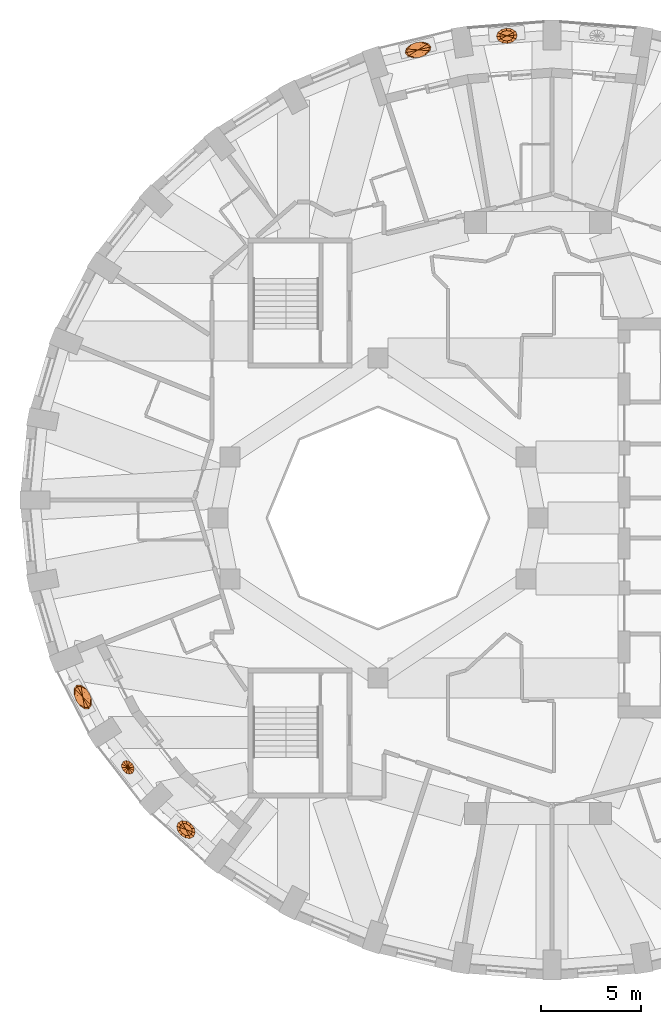
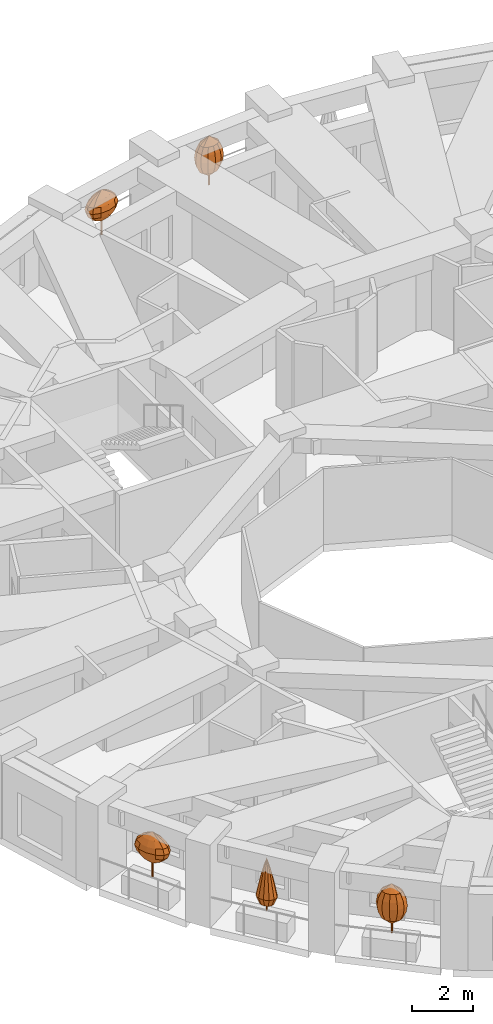
# One storey, part 11 of 12: 5 geographic elements.
"""IFC4 building model written with IfcOpenShell, lengths in metres."""

from ifc_helpers import new_model, si_unit, direction, frame, origin, place, context, subcontext, project, spatial, faceted_brep, material, constituent, constituent_set, type_object, element, save


model = new_model("IFC4")

# Units and contexts
model_context = context("Model", 3, precision=1e-05, world=origin(), true_north=direction((0.0, 1.0)))
body_context = subcontext(model_context, "Body", "Model", "MODEL_VIEW")
ifc_project = project(units=[si_unit("LENGTHUNIT", "METRE"), si_unit("AREAUNIT", "SQUARE_METRE"), si_unit("VOLUMEUNIT", "CUBIC_METRE"), si_unit("PLANEANGLEUNIT", "RADIAN"), si_unit("MASSUNIT", "GRAM", prefix="KILO")], contexts=[model_context])

# Site, building, storey
site_placement = place(None, origin())
site = spatial("IfcSite", under=ifc_project, at=site_placement, CompositionType="ELEMENT")
building_placement = place(site_placement, origin())
building = spatial("IfcBuilding", under=site, at=building_placement, Name="Taillehof Tower", CompositionType="ELEMENT")
storey_placement = place(building_placement, frame((0.0, 0.0, 218.89990234375)))
storey = spatial("IfcBuildingStorey", under=building, at=storey_placement, Name="L62", CompositionType="ELEMENT", Elevation=218.89990234375)

# Geographic elements
ifc_material_1 = material(Name="Tree bark", Category="timber")
ifc_constituent_1 = constituent(ifc_material_1, Name="Trunk", Category="timber")
ifc_material_2 = material(Name="Tree foliage")
ifc_constituent_2 = constituent(ifc_material_2, Name="Crown")
ifc_constituent_set_1 = constituent_set(constituents=[ifc_constituent_1, ifc_constituent_2], Name="Tree TR2 Fastigiate yew")
geographic_element_type_1 = type_object("IfcGeographicElementType", Name="Tree TR2 Fastigiate yew", PredefinedType="USERDEFINED", material=ifc_constituent_set_1)
geographic_element_1_placement = place(storey_placement, frame((-1.555419921875, 24.110595703125, 0.75)))
element("IfcGeographicElement", 1, at=geographic_element_1_placement, inside=storey, type_object=geographic_element_type_1, Name="Tree TR2 Fastigiate yew", ObjectType="TREE", PredefinedType="USERDEFINED", context=body_context, shape_type="Brep", body=[
    faceted_brep([(0.034912109375, 0.0, 0.0), (0.024658203125, 0.024658203125, 0.0), (0.024658203125, 0.024658203125, 0.909912109375), (0.034912109375, 0.0, 0.909912109375), (0.0, 0.034912109375, 0.0), (0.0, 0.034912109375, 0.909912109375), (-0.024658203125, 0.024658203125, 0.0), (-0.024658203125, 0.024658203125, 0.909912109375), (-0.034912109375, 0.0, 0.0), (-0.034912109375, 0.0, 0.909912109375), (-0.024658203125, -0.024658203125, 0.0), (-0.024658203125, -0.024658203125, 0.909912109375), (0.0, -0.034912109375, 0.0), (0.0, -0.034912109375, 0.909912109375), (0.024658203125, -0.024658203125, 0.0), (0.024658203125, -0.024658203125, 0.909912109375)], [[[0, 1, 2, 3]], [[1, 4, 5, 2]], [[4, 6, 7, 5]], [[6, 8, 9, 7]], [[8, 10, 11, 9]], [[10, 12, 13, 11]], [[12, 14, 15, 13]], [[14, 0, 3, 15]], [[14, 12, 10, 8, 6, 4, 1, 0]], [[3, 2, 5, 7, 9, 11, 13, 15]]]),
    faceted_brep([(0.0, 0.0, 0.35009765625), (-0.2978515625, -0.153564453125, 0.61669921875), (-0.355712890625, -0.028076171875, 0.61669921875), (-0.16015625, -0.238037109375, 0.61669921875), (0.020263671875, -0.2587890625, 0.61669921875), (0.195556640625, -0.2099609375, 0.61669921875), (0.318359375, -0.105224609375, 0.61669921875), (0.355712890625, 0.028076171875, 0.61669921875), (0.2978515625, 0.153564453125, 0.61669921875), (0.16015625, 0.238037109375, 0.61669921875), (-0.020263671875, 0.2587890625, 0.61669921875), (-0.195556640625, 0.2099609375, 0.61669921875), (-0.318359375, 0.105224609375, 0.61669921875), (-0.403076171875, -0.207763671875, 0.88330078125), (-0.481201171875, -0.037841796875, 0.88330078125), (-0.216796875, -0.322021484375, 0.88330078125), (0.027587890625, -0.35009765625, 0.88330078125), (0.264404296875, -0.2841796875, 0.88330078125), (0.4306640625, -0.14208984375, 0.88330078125), (0.481201171875, 0.037841796875, 0.88330078125), (0.403076171875, 0.207763671875, 0.88330078125), (0.216796875, 0.322021484375, 0.88330078125), (-0.027587890625, 0.35009765625, 0.88330078125), (-0.264404296875, 0.2841796875, 0.88330078125), (-0.4306640625, 0.14208984375, 0.88330078125), (-0.436279296875, -0.224853515625, 1.14990234375), (-0.52099609375, -0.041015625, 1.14990234375), (-0.234619140625, -0.3486328125, 1.14990234375), (0.02978515625, -0.37890625, 1.14990234375), (0.286376953125, -0.3076171875, 1.14990234375), (0.466064453125, -0.15380859375, 1.14990234375), (0.52099609375, 0.041015625, 1.14990234375), (0.436279296875, 0.224853515625, 1.14990234375), (0.234619140625, 0.3486328125, 1.14990234375), (-0.02978515625, 0.37890625, 1.14990234375), (-0.286376953125, 0.3076171875, 1.14990234375), (-0.466064453125, 0.15380859375, 1.14990234375), (-0.403076171875, -0.207763671875, 1.416748046875), (-0.481201171875, -0.037841796875, 1.416748046875), (-0.216796875, -0.322021484375, 1.416748046875), (0.027587890625, -0.35009765625, 1.416748046875), (0.264404296875, -0.2841796875, 1.416748046875), (0.4306640625, -0.14208984375, 1.416748046875), (0.481201171875, 0.037841796875, 1.416748046875), (0.403076171875, 0.207763671875, 1.416748046875), (0.216796875, 0.322021484375, 1.416748046875), (-0.027587890625, 0.35009765625, 1.416748046875), (-0.264404296875, 0.2841796875, 1.416748046875), (-0.4306640625, 0.14208984375, 1.416748046875), (-0.2978515625, -0.153564453125, 1.683349609375), (-0.355712890625, -0.028076171875, 1.683349609375), (-0.16015625, -0.238037109375, 1.683349609375), (0.020263671875, -0.2587890625, 1.683349609375), (0.195556640625, -0.2099609375, 1.683349609375), (0.318359375, -0.105224609375, 1.683349609375), (0.355712890625, 0.028076171875, 1.683349609375), (0.2978515625, 0.153564453125, 1.683349609375), (0.16015625, 0.238037109375, 1.683349609375), (-0.020263671875, 0.2587890625, 1.683349609375), (-0.195556640625, 0.2099609375, 1.683349609375), (-0.318359375, 0.105224609375, 1.683349609375), (0.0, 0.0, 1.949951171875)], [[[0, 1, 2]], [[0, 3, 1]], [[0, 4, 3]], [[0, 5, 4]], [[0, 6, 5]], [[0, 7, 6]], [[0, 8, 7]], [[0, 9, 8]], [[0, 10, 9]], [[0, 11, 10]], [[0, 12, 11]], [[0, 2, 12]], [[2, 1, 13, 14]], [[1, 3, 15, 13]], [[3, 4, 16, 15]], [[4, 5, 17, 16]], [[5, 6, 18, 17]], [[6, 7, 19, 18]], [[7, 8, 20, 19]], [[8, 9, 21, 20]], [[9, 10, 22, 21]], [[10, 11, 23, 22]], [[11, 12, 24, 23]], [[12, 2, 14, 24]], [[14, 13, 25, 26]], [[13, 15, 27, 25]], [[15, 16, 28, 27]], [[16, 17, 29, 28]], [[17, 18, 30, 29]], [[18, 19, 31, 30]], [[19, 20, 32, 31]], [[20, 21, 33, 32]], [[21, 22, 34, 33]], [[22, 23, 35, 34]], [[23, 24, 36, 35]], [[24, 14, 26, 36]], [[26, 25, 37, 38]], [[25, 27, 39, 37]], [[27, 28, 40, 39]], [[28, 29, 41, 40]], [[29, 30, 42, 41]], [[30, 31, 43, 42]], [[31, 32, 44, 43]], [[32, 33, 45, 44]], [[33, 34, 46, 45]], [[34, 35, 47, 46]], [[35, 36, 48, 47]], [[36, 26, 38, 48]], [[38, 37, 49, 50]], [[37, 39, 51, 49]], [[39, 40, 52, 51]], [[40, 41, 53, 52]], [[41, 42, 54, 53]], [[42, 43, 55, 54]], [[43, 44, 56, 55]], [[44, 45, 57, 56]], [[45, 46, 58, 57]], [[46, 47, 59, 58]], [[47, 48, 60, 59]], [[48, 38, 50, 60]], [[50, 49, 61]], [[49, 51, 61]], [[51, 52, 61]], [[52, 53, 61]], [[53, 54, 61]], [[54, 55, 61]], [[55, 56, 61]], [[56, 57, 61]], [[57, 58, 61]], [[58, 59, 61]], [[59, 60, 61]], [[60, 50, 61]]]),
])
geographic_element_2_placement = place(storey_placement, frame((-17.60205078125, -15.57861328125, 0.75)))
element("IfcGeographicElement", 2, at=geographic_element_2_placement, inside=storey, type_object=geographic_element_type_1, Name="Tree TR2 Fastigiate yew", ObjectType="TREE", PredefinedType="USERDEFINED", context=body_context, shape_type="Brep", body=[
    faceted_brep([(0.034912109375, 0.0, 0.0), (0.024658203125, 0.024658203125, 0.0), (0.024658203125, 0.024658203125, 0.909912109375), (0.034912109375, 0.0, 0.909912109375), (0.0, 0.034912109375, 0.0), (0.0, 0.034912109375, 0.909912109375), (-0.024658203125, 0.024658203125, 0.0), (-0.024658203125, 0.024658203125, 0.909912109375), (-0.034912109375, 0.0, 0.0), (-0.034912109375, 0.0, 0.909912109375), (-0.024658203125, -0.024658203125, 0.0), (-0.024658203125, -0.024658203125, 0.909912109375), (0.0, -0.034912109375, 0.0), (0.0, -0.034912109375, 0.909912109375), (0.024658203125, -0.024658203125, 0.0), (0.024658203125, -0.024658203125, 0.909912109375)], [[[0, 1, 2, 3]], [[1, 4, 5, 2]], [[4, 6, 7, 5]], [[6, 8, 9, 7]], [[8, 10, 11, 9]], [[10, 12, 13, 11]], [[12, 14, 15, 13]], [[14, 0, 3, 15]], [[14, 12, 10, 8, 6, 4, 1, 0]], [[3, 2, 5, 7, 9, 11, 13, 15]]]),
    faceted_brep([(0.0, 0.0, 0.35009765625), (0.316650390625, -0.110107421875, 0.61669921875), (0.265380859375, -0.23876953125, 0.61669921875), (0.282958984375, 0.0478515625, 0.61669921875), (0.173583984375, 0.19287109375, 0.61669921875), (0.017578125, 0.286376953125, 0.61669921875), (-0.14306640625, 0.30322265625, 0.61669921875), (-0.265380859375, 0.23876953125, 0.61669921875), (-0.316650390625, 0.110107421875, 0.61669921875), (-0.282958984375, -0.0478515625, 0.61669921875), (-0.173583984375, -0.19287109375, 0.61669921875), (-0.017578125, -0.286376953125, 0.61669921875), (0.14306640625, -0.30322265625, 0.61669921875), (0.42822265625, -0.149169921875, 0.88330078125), (0.35888671875, -0.32275390625, 0.88330078125), (0.3828125, 0.064697265625, 0.88330078125), (0.23486328125, 0.260986328125, 0.88330078125), (0.02392578125, 0.387451171875, 0.88330078125), (-0.193359375, 0.41015625, 0.88330078125), (-0.35888671875, 0.32275390625, 0.88330078125), (-0.42822265625, 0.149169921875, 0.88330078125), (-0.3828125, -0.064697265625, 0.88330078125), (-0.23486328125, -0.260986328125, 0.88330078125), (-0.02392578125, -0.387451171875, 0.88330078125), (0.193359375, -0.41015625, 0.88330078125), (0.46337890625, -0.161376953125, 1.14990234375), (0.388427734375, -0.349365234375, 1.14990234375), (0.414306640625, 0.06982421875, 1.14990234375), (0.254150390625, 0.282470703125, 1.14990234375), (0.02587890625, 0.41943359375, 1.14990234375), (-0.209228515625, 0.44384765625, 1.14990234375), (-0.388427734375, 0.349365234375, 1.14990234375), (-0.46337890625, 0.161376953125, 1.14990234375), (-0.414306640625, -0.06982421875, 1.14990234375), (-0.254150390625, -0.282470703125, 1.14990234375), (-0.02587890625, -0.41943359375, 1.14990234375), (0.209228515625, -0.44384765625, 1.14990234375), (0.42822265625, -0.149169921875, 1.416748046875), (0.35888671875, -0.32275390625, 1.416748046875), (0.3828125, 0.064697265625, 1.416748046875), (0.23486328125, 0.260986328125, 1.416748046875), (0.02392578125, 0.387451171875, 1.416748046875), (-0.193359375, 0.41015625, 1.416748046875), (-0.35888671875, 0.32275390625, 1.416748046875), (-0.42822265625, 0.149169921875, 1.416748046875), (-0.3828125, -0.064697265625, 1.416748046875), (-0.23486328125, -0.260986328125, 1.416748046875), (-0.02392578125, -0.387451171875, 1.416748046875), (0.193359375, -0.41015625, 1.416748046875), (0.316650390625, -0.110107421875, 1.683349609375), (0.265380859375, -0.23876953125, 1.683349609375), (0.282958984375, 0.0478515625, 1.683349609375), (0.173583984375, 0.19287109375, 1.683349609375), (0.017578125, 0.286376953125, 1.683349609375), (-0.14306640625, 0.30322265625, 1.683349609375), (-0.265380859375, 0.23876953125, 1.683349609375), (-0.316650390625, 0.110107421875, 1.683349609375), (-0.282958984375, -0.0478515625, 1.683349609375), (-0.173583984375, -0.19287109375, 1.683349609375), (-0.017578125, -0.286376953125, 1.683349609375), (0.14306640625, -0.30322265625, 1.683349609375), (0.0, 0.0, 1.949951171875)], [[[0, 1, 2]], [[0, 3, 1]], [[0, 4, 3]], [[0, 5, 4]], [[0, 6, 5]], [[0, 7, 6]], [[0, 8, 7]], [[0, 9, 8]], [[0, 10, 9]], [[0, 11, 10]], [[0, 12, 11]], [[0, 2, 12]], [[2, 1, 13, 14]], [[1, 3, 15, 13]], [[3, 4, 16, 15]], [[4, 5, 17, 16]], [[5, 6, 18, 17]], [[6, 7, 19, 18]], [[7, 8, 20, 19]], [[8, 9, 21, 20]], [[9, 10, 22, 21]], [[10, 11, 23, 22]], [[11, 12, 24, 23]], [[12, 2, 14, 24]], [[14, 13, 25, 26]], [[13, 15, 27, 25]], [[15, 16, 28, 27]], [[16, 17, 29, 28]], [[17, 18, 30, 29]], [[18, 19, 31, 30]], [[19, 20, 32, 31]], [[20, 21, 33, 32]], [[21, 22, 34, 33]], [[22, 23, 35, 34]], [[23, 24, 36, 35]], [[24, 14, 26, 36]], [[26, 25, 37, 38]], [[25, 27, 39, 37]], [[27, 28, 40, 39]], [[28, 29, 41, 40]], [[29, 30, 42, 41]], [[30, 31, 43, 42]], [[31, 32, 44, 43]], [[32, 33, 45, 44]], [[33, 34, 46, 45]], [[34, 35, 47, 46]], [[35, 36, 48, 47]], [[36, 26, 38, 48]], [[38, 37, 49, 50]], [[37, 39, 51, 49]], [[39, 40, 52, 51]], [[40, 41, 53, 52]], [[41, 42, 54, 53]], [[42, 43, 55, 54]], [[43, 44, 56, 55]], [[44, 45, 57, 56]], [[45, 46, 58, 57]], [[46, 47, 59, 58]], [[47, 48, 60, 59]], [[48, 38, 50, 60]], [[50, 49, 61]], [[49, 51, 61]], [[51, 52, 61]], [[52, 53, 61]], [[53, 54, 61]], [[54, 55, 61]], [[55, 56, 61]], [[56, 57, 61]], [[57, 58, 61]], [[58, 59, 61]], [[59, 60, 61]], [[60, 50, 61]]]),
])
ifc_material_3 = material(Name="Tree bark", Category="timber")
ifc_constituent_3 = constituent(ifc_material_3, Name="Trunk", Category="timber")
ifc_material_4 = material(Name="Tree foliage")
ifc_constituent_4 = constituent(ifc_material_4, Name="Crown")
ifc_constituent_set_2 = constituent_set(constituents=[ifc_constituent_3, ifc_constituent_4], Name="Tree TR4 Sea buckthorn standard")
geographic_element_type_2 = type_object("IfcGeographicElementType", Name="Tree TR4 Sea buckthorn standard", PredefinedType="USERDEFINED", material=ifc_constituent_set_2)
geographic_element_3_placement = place(storey_placement, frame((-5.997802734375, 23.406005859375, 0.75)))
element("IfcGeographicElement", 3, at=geographic_element_3_placement, inside=storey, type_object=geographic_element_type_2, Name="Tree TR4 Sea buckthorn standard", ObjectType="TREE", PredefinedType="USERDEFINED", context=body_context, shape_type="Brep", body=[
    faceted_brep([(0.030029296875, 0.0, 0.0), (0.021240234375, 0.021240234375, 0.0), (0.021240234375, 0.021240234375, 0.98095703125), (0.030029296875, 0.0, 0.98095703125), (0.0, 0.030029296875, 0.0), (0.0, 0.030029296875, 0.98095703125), (-0.021240234375, 0.021240234375, 0.0), (-0.021240234375, 0.021240234375, 0.98095703125), (-0.030029296875, 0.0, 0.0), (-0.030029296875, 0.0, 0.98095703125), (-0.021240234375, -0.021240234375, 0.0), (-0.021240234375, -0.021240234375, 0.98095703125), (0.0, -0.030029296875, 0.0), (0.0, -0.030029296875, 0.98095703125), (0.021240234375, -0.021240234375, 0.0), (0.021240234375, -0.021240234375, 0.98095703125)], [[[0, 1, 2, 3]], [[1, 4, 5, 2]], [[4, 6, 7, 5]], [[6, 8, 9, 7]], [[8, 10, 11, 9]], [[10, 12, 13, 11]], [[12, 14, 15, 13]], [[14, 0, 3, 15]], [[14, 12, 10, 8, 6, 4, 1, 0]], [[3, 2, 5, 7, 9, 11, 13, 15]]]),
    faceted_brep([(0.0, 0.0, 0.5400390625), (-0.2958984375, -0.18359375, 0.75), (-0.371337890625, -0.089599609375, 0.75), (-0.141357421875, -0.228515625, 0.75), (0.051025390625, -0.212158203125, 0.75), (0.22998046875, -0.138916015625, 0.75), (0.34716796875, -0.028564453125, 0.75), (0.371337890625, 0.089599609375, 0.75), (0.2958984375, 0.18359375, 0.75), (0.141357421875, 0.228515625, 0.75), (-0.051025390625, 0.212158203125, 0.75), (-0.22998046875, 0.138916015625, 0.75), (-0.34716796875, 0.028564453125, 0.75), (-0.459228515625, -0.284912109375, 0.9599609375), (-0.576171875, -0.138916015625, 0.9599609375), (-0.219482421875, -0.3544921875, 0.9599609375), (0.079345703125, -0.329345703125, 0.9599609375), (0.35693359375, -0.2158203125, 0.9599609375), (0.538818359375, -0.04443359375, 0.9599609375), (0.576171875, 0.138916015625, 0.9599609375), (0.459228515625, 0.284912109375, 0.9599609375), (0.219482421875, 0.3544921875, 0.9599609375), (-0.079345703125, 0.329345703125, 0.9599609375), (-0.35693359375, 0.2158203125, 0.9599609375), (-0.538818359375, 0.04443359375, 0.9599609375), (-0.515380859375, -0.319580078125, 1.169921875), (-0.646484375, -0.15576171875, 1.169921875), (-0.24609375, -0.39794921875, 1.169921875), (0.089111328125, -0.369384765625, 1.169921875), (0.400390625, -0.241943359375, 1.169921875), (0.6044921875, -0.0498046875, 1.169921875), (0.646484375, 0.15576171875, 1.169921875), (0.515380859375, 0.319580078125, 1.169921875), (0.24609375, 0.39794921875, 1.169921875), (-0.089111328125, 0.369384765625, 1.169921875), (-0.400390625, 0.241943359375, 1.169921875), (-0.6044921875, 0.0498046875, 1.169921875), (-0.459228515625, -0.284912109375, 1.3798828125), (-0.576171875, -0.138916015625, 1.3798828125), (-0.219482421875, -0.3544921875, 1.3798828125), (0.079345703125, -0.329345703125, 1.3798828125), (0.35693359375, -0.2158203125, 1.3798828125), (0.538818359375, -0.04443359375, 1.3798828125), (0.576171875, 0.138916015625, 1.3798828125), (0.459228515625, 0.284912109375, 1.3798828125), (0.219482421875, 0.3544921875, 1.3798828125), (-0.079345703125, 0.329345703125, 1.3798828125), (-0.35693359375, 0.2158203125, 1.3798828125), (-0.538818359375, 0.04443359375, 1.3798828125), (-0.2958984375, -0.18359375, 1.590087890625), (-0.371337890625, -0.089599609375, 1.590087890625), (-0.141357421875, -0.228515625, 1.590087890625), (0.051025390625, -0.212158203125, 1.590087890625), (0.22998046875, -0.138916015625, 1.590087890625), (0.34716796875, -0.028564453125, 1.590087890625), (0.371337890625, 0.089599609375, 1.590087890625), (0.2958984375, 0.18359375, 1.590087890625), (0.141357421875, 0.228515625, 1.590087890625), (-0.051025390625, 0.212158203125, 1.590087890625), (-0.22998046875, 0.138916015625, 1.590087890625), (-0.34716796875, 0.028564453125, 1.590087890625), (0.0, 0.0, 1.800048828125)], [[[0, 1, 2]], [[0, 3, 1]], [[0, 4, 3]], [[0, 5, 4]], [[0, 6, 5]], [[0, 7, 6]], [[0, 8, 7]], [[0, 9, 8]], [[0, 10, 9]], [[0, 11, 10]], [[0, 12, 11]], [[0, 2, 12]], [[2, 1, 13, 14]], [[1, 3, 15, 13]], [[3, 4, 16, 15]], [[4, 5, 17, 16]], [[5, 6, 18, 17]], [[6, 7, 19, 18]], [[7, 8, 20, 19]], [[8, 9, 21, 20]], [[9, 10, 22, 21]], [[10, 11, 23, 22]], [[11, 12, 24, 23]], [[12, 2, 14, 24]], [[14, 13, 25, 26]], [[13, 15, 27, 25]], [[15, 16, 28, 27]], [[16, 17, 29, 28]], [[17, 18, 30, 29]], [[18, 19, 31, 30]], [[19, 20, 32, 31]], [[20, 21, 33, 32]], [[21, 22, 34, 33]], [[22, 23, 35, 34]], [[23, 24, 36, 35]], [[24, 14, 26, 36]], [[26, 25, 37, 38]], [[25, 27, 39, 37]], [[27, 28, 40, 39]], [[28, 29, 41, 40]], [[29, 30, 42, 41]], [[30, 31, 43, 42]], [[31, 32, 44, 43]], [[32, 33, 45, 44]], [[33, 34, 46, 45]], [[34, 35, 47, 46]], [[35, 36, 48, 47]], [[36, 26, 38, 48]], [[38, 37, 49, 50]], [[37, 39, 51, 49]], [[39, 40, 52, 51]], [[40, 41, 53, 52]], [[41, 42, 54, 53]], [[42, 43, 55, 54]], [[43, 44, 56, 55]], [[44, 45, 57, 56]], [[45, 46, 58, 57]], [[46, 47, 59, 58]], [[47, 48, 60, 59]], [[48, 38, 50, 60]], [[50, 49, 61]], [[49, 51, 61]], [[51, 52, 61]], [[52, 53, 61]], [[53, 54, 61]], [[54, 55, 61]], [[55, 56, 61]], [[56, 57, 61]], [[57, 58, 61]], [[58, 59, 61]], [[59, 60, 61]], [[60, 50, 61]]]),
])
geographic_element_4_placement = place(storey_placement, frame((-22.760986328125, -8.9501953125, 0.75)))
element("IfcGeographicElement", 4, at=geographic_element_4_placement, inside=storey, type_object=geographic_element_type_2, Name="Tree TR4 Sea buckthorn standard", ObjectType="TREE", PredefinedType="USERDEFINED", context=body_context, shape_type="Brep", body=[
    faceted_brep([(0.030029296875, 0.0, 0.0), (0.021240234375, 0.021240234375, 0.0), (0.021240234375, 0.021240234375, 0.98095703125), (0.030029296875, 0.0, 0.98095703125), (0.0, 0.030029296875, 0.0), (0.0, 0.030029296875, 0.98095703125), (-0.021240234375, 0.021240234375, 0.0), (-0.021240234375, 0.021240234375, 0.98095703125), (-0.030029296875, 0.0, 0.0), (-0.030029296875, 0.0, 0.98095703125), (-0.021240234375, -0.021240234375, 0.0), (-0.021240234375, -0.021240234375, 0.98095703125), (0.0, -0.030029296875, 0.0), (0.0, -0.030029296875, 0.98095703125), (0.021240234375, -0.021240234375, 0.0), (0.021240234375, -0.021240234375, 0.98095703125)], [[[0, 1, 2, 3]], [[1, 4, 5, 2]], [[4, 6, 7, 5]], [[6, 8, 9, 7]], [[8, 10, 11, 9]], [[10, 12, 13, 11]], [[12, 14, 15, 13]], [[14, 0, 3, 15]], [[14, 12, 10, 8, 6, 4, 1, 0]], [[3, 2, 5, 7, 9, 11, 13, 15]]]),
    faceted_brep([(0.0, 0.0, 0.5400390625), (0.2490234375, -0.243408203125, 0.75), (0.17578125, -0.339111328125, 0.75), (0.255615234375, -0.08251953125, 0.75), (0.19384765625, 0.100341796875, 0.75), (0.079833984375, 0.256591796875, 0.75), (-0.055419921875, 0.343994140625, 0.75), (-0.17578125, 0.339111328125, 0.75), (-0.2490234375, 0.243408203125, 0.75), (-0.255615234375, 0.08251953125, 0.75), (-0.19384765625, -0.100341796875, 0.75), (-0.079833984375, -0.256591796875, 0.75), (0.055419921875, -0.343994140625, 0.75), (0.386474609375, -0.377685546875, 0.9599609375), (0.272705078125, -0.526123046875, 0.9599609375), (0.396728515625, -0.128173828125, 0.9599609375), (0.30078125, 0.15576171875, 0.9599609375), (0.1240234375, 0.398193359375, 0.9599609375), (-0.0859375, 0.53369140625, 0.9599609375), (-0.272705078125, 0.526123046875, 0.9599609375), (-0.386474609375, 0.377685546875, 0.9599609375), (-0.396728515625, 0.128173828125, 0.9599609375), (-0.30078125, -0.15576171875, 0.9599609375), (-0.1240234375, -0.398193359375, 0.9599609375), (0.0859375, -0.53369140625, 0.9599609375), (0.433837890625, -0.423828125, 1.169921875), (0.30615234375, -0.59033203125, 1.169921875), (0.445068359375, -0.143798828125, 1.169921875), (0.33740234375, 0.1748046875, 1.169921875), (0.13916015625, 0.446533203125, 1.169921875), (-0.096435546875, 0.5986328125, 1.169921875), (-0.30615234375, 0.59033203125, 1.169921875), (-0.433837890625, 0.423828125, 1.169921875), (-0.445068359375, 0.143798828125, 1.169921875), (-0.33740234375, -0.1748046875, 1.169921875), (-0.13916015625, -0.446533203125, 1.169921875), (0.096435546875, -0.5986328125, 1.169921875), (0.386474609375, -0.377685546875, 1.3798828125), (0.272705078125, -0.526123046875, 1.3798828125), (0.396728515625, -0.128173828125, 1.3798828125), (0.30078125, 0.15576171875, 1.3798828125), (0.1240234375, 0.398193359375, 1.3798828125), (-0.0859375, 0.53369140625, 1.3798828125), (-0.272705078125, 0.526123046875, 1.3798828125), (-0.386474609375, 0.377685546875, 1.3798828125), (-0.396728515625, 0.128173828125, 1.3798828125), (-0.30078125, -0.15576171875, 1.3798828125), (-0.1240234375, -0.398193359375, 1.3798828125), (0.0859375, -0.53369140625, 1.3798828125), (0.2490234375, -0.243408203125, 1.590087890625), (0.17578125, -0.339111328125, 1.590087890625), (0.255615234375, -0.08251953125, 1.590087890625), (0.19384765625, 0.100341796875, 1.590087890625), (0.079833984375, 0.256591796875, 1.590087890625), (-0.055419921875, 0.343994140625, 1.590087890625), (-0.17578125, 0.339111328125, 1.590087890625), (-0.2490234375, 0.243408203125, 1.590087890625), (-0.255615234375, 0.08251953125, 1.590087890625), (-0.19384765625, -0.100341796875, 1.590087890625), (-0.079833984375, -0.256591796875, 1.590087890625), (0.055419921875, -0.343994140625, 1.590087890625), (0.0, 0.0, 1.800048828125)], [[[0, 1, 2]], [[0, 3, 1]], [[0, 4, 3]], [[0, 5, 4]], [[0, 6, 5]], [[0, 7, 6]], [[0, 8, 7]], [[0, 9, 8]], [[0, 10, 9]], [[0, 11, 10]], [[0, 12, 11]], [[0, 2, 12]], [[2, 1, 13, 14]], [[1, 3, 15, 13]], [[3, 4, 16, 15]], [[4, 5, 17, 16]], [[5, 6, 18, 17]], [[6, 7, 19, 18]], [[7, 8, 20, 19]], [[8, 9, 21, 20]], [[9, 10, 22, 21]], [[10, 11, 23, 22]], [[11, 12, 24, 23]], [[12, 2, 14, 24]], [[14, 13, 25, 26]], [[13, 15, 27, 25]], [[15, 16, 28, 27]], [[16, 17, 29, 28]], [[17, 18, 30, 29]], [[18, 19, 31, 30]], [[19, 20, 32, 31]], [[20, 21, 33, 32]], [[21, 22, 34, 33]], [[22, 23, 35, 34]], [[23, 24, 36, 35]], [[24, 14, 26, 36]], [[26, 25, 37, 38]], [[25, 27, 39, 37]], [[27, 28, 40, 39]], [[28, 29, 41, 40]], [[29, 30, 42, 41]], [[30, 31, 43, 42]], [[31, 32, 44, 43]], [[32, 33, 45, 44]], [[33, 34, 46, 45]], [[34, 35, 47, 46]], [[35, 36, 48, 47]], [[36, 26, 38, 48]], [[38, 37, 49, 50]], [[37, 39, 51, 49]], [[39, 40, 52, 51]], [[40, 41, 53, 52]], [[41, 42, 54, 53]], [[42, 43, 55, 54]], [[43, 44, 56, 55]], [[44, 45, 57, 56]], [[45, 46, 58, 57]], [[46, 47, 59, 58]], [[47, 48, 60, 59]], [[48, 38, 50, 60]], [[50, 49, 61]], [[49, 51, 61]], [[51, 52, 61]], [[52, 53, 61]], [[53, 54, 61]], [[54, 55, 61]], [[55, 56, 61]], [[56, 57, 61]], [[57, 58, 61]], [[58, 59, 61]], [[59, 60, 61]], [[60, 50, 61]]]),
])
ifc_material_5 = material(Name="Tree bark", Category="timber")
ifc_constituent_5 = constituent(ifc_material_5, Name="Trunk", Category="timber")
ifc_material_6 = material(Name="Tree foliage")
ifc_constituent_6 = constituent(ifc_material_6, Name="Crown")
ifc_constituent_set_3 = constituent_set(constituents=[ifc_constituent_5, ifc_constituent_6], Name="Tree TR5 Columnar juniper")
geographic_element_type_3 = type_object("IfcGeographicElementType", Name="Tree TR5 Columnar juniper", PredefinedType="USERDEFINED", material=ifc_constituent_set_3)
geographic_element_5_placement = place(storey_placement, frame((-20.50341796875, -12.468017578125, 0.75)))
element("IfcGeographicElement", 5, at=geographic_element_5_placement, inside=storey, type_object=geographic_element_type_3, Name="Tree TR5 Columnar juniper", ObjectType="TREE", PredefinedType="USERDEFINED", context=body_context, shape_type="Brep", body=[
    faceted_brep([(0.02490234375, 0.0, 0.0), (0.017578125, 0.017578125, 0.0), (0.017578125, 0.017578125, 0.929931640625), (0.02490234375, 0.0, 0.929931640625), (0.0, 0.02490234375, 0.0), (0.0, 0.02490234375, 0.929931640625), (-0.017578125, 0.017578125, 0.0), (-0.017578125, 0.017578125, 0.929931640625), (-0.02490234375, 0.0, 0.0), (-0.02490234375, 0.0, 0.929931640625), (-0.017578125, -0.017578125, 0.0), (-0.017578125, -0.017578125, 0.929931640625), (0.0, -0.02490234375, 0.0), (0.0, -0.02490234375, 0.929931640625), (0.017578125, -0.017578125, 0.0), (0.017578125, -0.017578125, 0.929931640625)], [[[0, 1, 2, 3]], [[1, 4, 5, 2]], [[4, 6, 7, 5]], [[6, 8, 9, 7]], [[8, 10, 11, 9]], [[10, 12, 13, 11]], [[12, 14, 15, 13]], [[14, 0, 3, 15]], [[14, 12, 10, 8, 6, 4, 1, 0]], [[3, 2, 5, 7, 9, 11, 13, 15]]]),
    faceted_brep([(0.152099609375, -0.1953125, 0.300048828125), (0.20751953125, -0.110107421875, 0.300048828125), (0.309814453125, -0.164306640625, 0.60009765625), (0.22705078125, -0.29150390625, 0.60009765625), (0.20751953125, 0.004638671875, 0.300048828125), (0.309814453125, 0.007080078125, 0.60009765625), (0.15185546875, 0.1181640625, 0.300048828125), (0.226806640625, 0.176513671875, 0.60009765625), (0.055419921875, 0.199951171875, 0.300048828125), (0.0830078125, 0.298583984375, 0.60009765625), (-0.0556640625, 0.228271484375, 0.300048828125), (-0.083251953125, 0.3408203125, 0.60009765625), (-0.152099609375, 0.1953125, 0.300048828125), (-0.22705078125, 0.29150390625, 0.60009765625), (-0.20751953125, 0.110107421875, 0.300048828125), (-0.309814453125, 0.164306640625, 0.60009765625), (-0.20751953125, -0.004638671875, 0.300048828125), (-0.309814453125, -0.007080078125, 0.60009765625), (-0.15185546875, -0.1181640625, 0.300048828125), (-0.226806640625, -0.176513671875, 0.60009765625), (-0.055419921875, -0.199951171875, 0.300048828125), (-0.0830078125, -0.298583984375, 0.60009765625), (0.0556640625, -0.228271484375, 0.300048828125), (0.083251953125, -0.3408203125, 0.60009765625), (0.25927734375, -0.137451171875, 0.89990234375), (0.18994140625, -0.243896484375, 0.89990234375), (0.25927734375, 0.005859375, 0.89990234375), (0.189697265625, 0.147705078125, 0.89990234375), (0.0693359375, 0.249755859375, 0.89990234375), (-0.069580078125, 0.28515625, 0.89990234375), (-0.18994140625, 0.243896484375, 0.89990234375), (-0.25927734375, 0.137451171875, 0.89990234375), (-0.25927734375, -0.005859375, 0.89990234375), (-0.189697265625, -0.147705078125, 0.89990234375), (-0.0693359375, -0.249755859375, 0.89990234375), (0.069580078125, -0.28515625, 0.89990234375), (0.2060546875, -0.109130859375, 1.199951171875), (0.15087890625, -0.19384765625, 1.199951171875), (0.205810546875, 0.004638671875, 1.199951171875), (0.150634765625, 0.1171875, 1.199951171875), (0.05517578125, 0.198486328125, 1.199951171875), (-0.05517578125, 0.2265625, 1.199951171875), (-0.15087890625, 0.19384765625, 1.199951171875), (-0.2060546875, 0.109130859375, 1.199951171875), (-0.205810546875, -0.004638671875, 1.199951171875), (-0.150634765625, -0.1171875, 1.199951171875), (-0.05517578125, -0.198486328125, 1.199951171875), (0.05517578125, -0.2265625, 1.199951171875), (0.14892578125, -0.078857421875, 1.5), (0.109130859375, -0.14013671875, 1.5), (0.14892578125, 0.00341796875, 1.5), (0.10888671875, 0.084716796875, 1.5), (0.039794921875, 0.1435546875, 1.5), (-0.0400390625, 0.163818359375, 1.5), (-0.109130859375, 0.14013671875, 1.5), (-0.14892578125, 0.078857421875, 1.5), (-0.14892578125, -0.00341796875, 1.5), (-0.10888671875, -0.084716796875, 1.5), (-0.039794921875, -0.1435546875, 1.5), (0.0400390625, -0.163818359375, 1.5), (0.08544921875, -0.04541015625, 1.800048828125), (0.062744140625, -0.08056640625, 1.800048828125), (0.08544921875, 0.001953125, 1.800048828125), (0.0625, 0.048828125, 1.800048828125), (0.02294921875, 0.08251953125, 1.800048828125), (-0.02294921875, 0.093994140625, 1.800048828125), (-0.062744140625, 0.08056640625, 1.800048828125), (-0.08544921875, 0.04541015625, 1.800048828125), (-0.08544921875, -0.001953125, 1.800048828125), (-0.0625, -0.048828125, 1.800048828125), (-0.02294921875, -0.08251953125, 1.800048828125), (0.02294921875, -0.093994140625, 1.800048828125), (0.0, 0.0, 2.10009765625)], [[[0, 1, 2, 3]], [[1, 4, 5, 2]], [[4, 6, 7, 5]], [[6, 8, 9, 7]], [[8, 10, 11, 9]], [[10, 12, 13, 11]], [[12, 14, 15, 13]], [[14, 16, 17, 15]], [[16, 18, 19, 17]], [[18, 20, 21, 19]], [[20, 22, 23, 21]], [[22, 0, 3, 23]], [[3, 2, 24, 25]], [[2, 5, 26, 24]], [[5, 7, 27, 26]], [[7, 9, 28, 27]], [[9, 11, 29, 28]], [[11, 13, 30, 29]], [[13, 15, 31, 30]], [[15, 17, 32, 31]], [[17, 19, 33, 32]], [[19, 21, 34, 33]], [[21, 23, 35, 34]], [[23, 3, 25, 35]], [[25, 24, 36, 37]], [[24, 26, 38, 36]], [[26, 27, 39, 38]], [[27, 28, 40, 39]], [[28, 29, 41, 40]], [[29, 30, 42, 41]], [[30, 31, 43, 42]], [[31, 32, 44, 43]], [[32, 33, 45, 44]], [[33, 34, 46, 45]], [[34, 35, 47, 46]], [[35, 25, 37, 47]], [[37, 36, 48, 49]], [[36, 38, 50, 48]], [[38, 39, 51, 50]], [[39, 40, 52, 51]], [[40, 41, 53, 52]], [[41, 42, 54, 53]], [[42, 43, 55, 54]], [[43, 44, 56, 55]], [[44, 45, 57, 56]], [[45, 46, 58, 57]], [[46, 47, 59, 58]], [[47, 37, 49, 59]], [[49, 48, 60, 61]], [[48, 50, 62, 60]], [[50, 51, 63, 62]], [[51, 52, 64, 63]], [[52, 53, 65, 64]], [[53, 54, 66, 65]], [[54, 55, 67, 66]], [[55, 56, 68, 67]], [[56, 57, 69, 68]], [[57, 58, 70, 69]], [[58, 59, 71, 70]], [[59, 49, 61, 71]], [[61, 60, 72]], [[60, 62, 72]], [[62, 63, 72]], [[63, 64, 72]], [[64, 65, 72]], [[65, 66, 72]], [[66, 67, 72]], [[67, 68, 72]], [[68, 69, 72]], [[69, 70, 72]], [[70, 71, 72]], [[71, 61, 72]], [[22, 20, 18, 16, 14, 12, 10, 8, 6, 4, 1, 0]]]),
])

save(model, "model.ifc")
